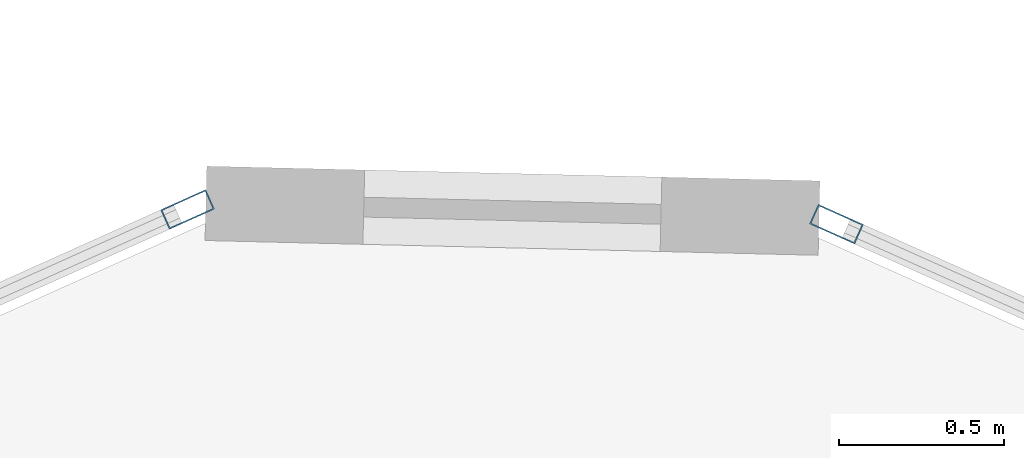
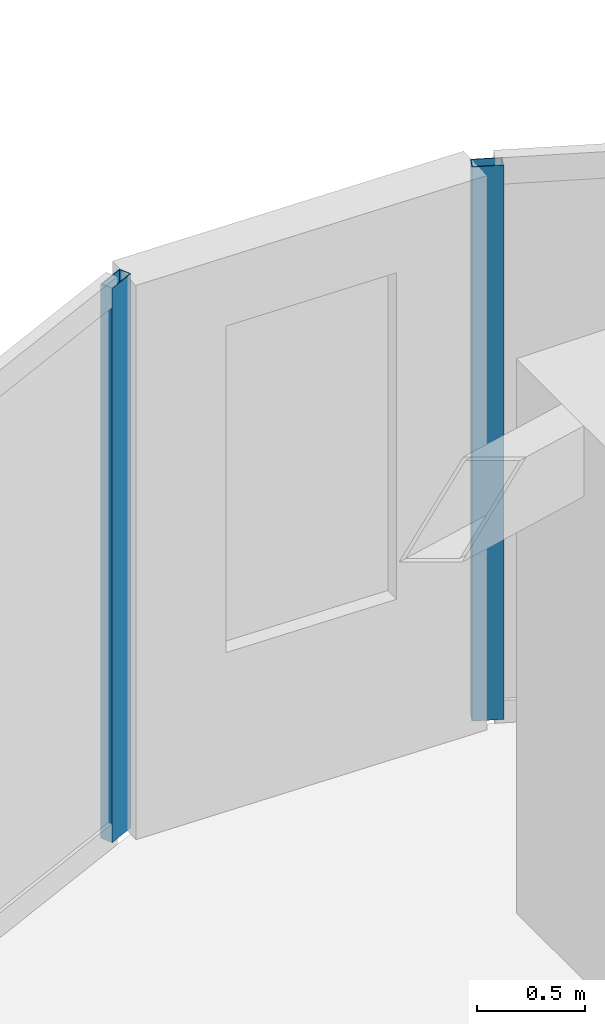
# One storey, part 15 of 21: 2 members, 2 elements without a shape of their own.
"""IFC4 building model written with IfcOpenShell, lengths in metres."""

from ifc_helpers import new_model, si_unit, direction, frame, origin, origin_2d, place, context, subcontext, project, spatial, hollow_rectangle, extrude, source, transform, mapped, material, layer, layer_set, material_profile, profile_set, type_object, type_shapes, element, aggregate, save


model = new_model("IFC4")

# Units and contexts
model_context = context("Model", 3, precision=1e-05, world=origin(), true_north=direction((0.0, 1.0)))
body_context = subcontext(model_context, "Body", "Model", "MODEL_VIEW")
ifc_project = project(units=[si_unit("LENGTHUNIT", "METRE"), si_unit("AREAUNIT", "SQUARE_METRE"), si_unit("VOLUMEUNIT", "CUBIC_METRE"), si_unit("PLANEANGLEUNIT", "RADIAN"), si_unit("MASSUNIT", "GRAM", prefix="KILO")], contexts=[model_context])

# Site, building, storey
site_placement = place(None, origin())
site = spatial("IfcSite", under=ifc_project, at=site_placement, CompositionType="ELEMENT")
building_placement = place(site_placement, origin())
building = spatial("IfcBuilding", under=site, at=building_placement, Name="Talar Marvaseh", CompositionType="ELEMENT")
storey_placement = place(building_placement, frame((0.0, 0.0, 271.39990234375)))
storey = spatial("IfcBuildingStorey", under=building, at=storey_placement, Name="L72", CompositionType="ELEMENT", Elevation=271.39990234375)

# Curtain wall, member
ifc_material = material(Name="Architectural Aluminium", Category="aluminium")
ifc_layer = layer(ifc_material, 0.179931640625)
ifc_layer_set = layer_set([ifc_layer], Name="Architectural Aluminium")
curtain_wall_type = type_object("IfcCurtainWallType", Name="Unitised High-Wind Sky Curtain Wall Z4", PredefinedType="NOTDEFINED", material=ifc_layer_set)
curtain_wall_1_placement = place(storey_placement, origin())
curtain_wall_1 = element("IfcCurtainWall", 1, at=curtain_wall_1_placement, inside=storey, type_object=curtain_wall_type, Name="L72 Unitised High-Wind Sky Curtain Wall Z4", PredefinedType="NOTDEFINED")
ifc_material_profile = material_profile(ifc_material, hollow_rectangle(XDim=0.06494140625, YDim=0.14990234375, WallThickness=0.00390625, at=origin_2d()), Name="RHS150x65x4")
ifc_profile_set = profile_set([ifc_material_profile], Name="Architectural Aluminium")
member_type = type_object("IfcMemberType", Name="Unitised Curtain Wall Slim Mullion RHS150x65x4", PredefinedType="MULLION", material=ifc_profile_set)
shared_shape = source(origin(), body_context, "Body", "SweptSolid", [
    extrude(hollow_rectangle(XDim=0.06494140625, YDim=0.14990234375, WallThickness=0.00390625, at=origin_2d()), origin(), (0.0, 0.0, 1.0), 3.14013671875),
])
type_shapes(member_type, [shared_shape])
member_1_placement = place(storey_placement, frame((27.47705078125, 42.96728515625, 0.0), z_axis=(0.0, 0.0, 1.0), x_axis=(-0.409635208061, 0.91224941563, 0.0)))
member_1 = element("IfcMember", 2, at=member_1_placement, type_object=member_type, Name="CW-Z4 mullion 4", PredefinedType="MULLION", context=body_context, shape_type="MappedRepresentation", body=[
    mapped(shared_shape, transform((0.0, 0.0, 0.0), x_axis=(1.0, 0.0, 0.0), y_axis=(0.0, 1.0, 0.0), z_axis=(0.0, 0.0, 1.0), scale=1.0)),
])
aggregate(curtain_wall_1, [member_1])

curtain_wall_2_placement = place(storey_placement, origin())
curtain_wall_2 = element("IfcCurtainWall", 3, at=curtain_wall_2_placement, inside=storey, type_object=curtain_wall_type, Name="L72 Unitised High-Wind Sky Curtain Wall Z4", PredefinedType="NOTDEFINED")
member_2_placement = place(storey_placement, frame((29.44140625, 42.9228515625, 0.0), z_axis=(0.0, 0.0, 1.0), x_axis=(0.408264670355, 0.912863603689, 0.0)))
member_2 = element("IfcMember", 4, at=member_2_placement, type_object=member_type, Name="CW-Z4 mullion 1", PredefinedType="MULLION", context=body_context, shape_type="MappedRepresentation", body=[
    mapped(shared_shape, transform((0.0, 0.0, 0.0), x_axis=(1.0, 0.0, 0.0), y_axis=(0.0, 1.0, 0.0), z_axis=(0.0, 0.0, 1.0), scale=1.0)),
])
aggregate(curtain_wall_2, [member_2])

save(model, "model.ifc")
